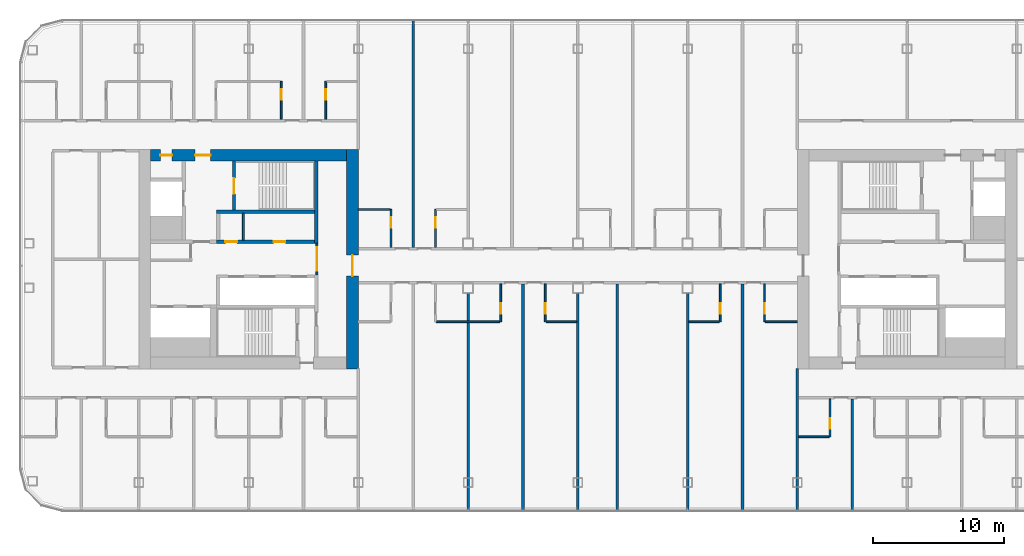
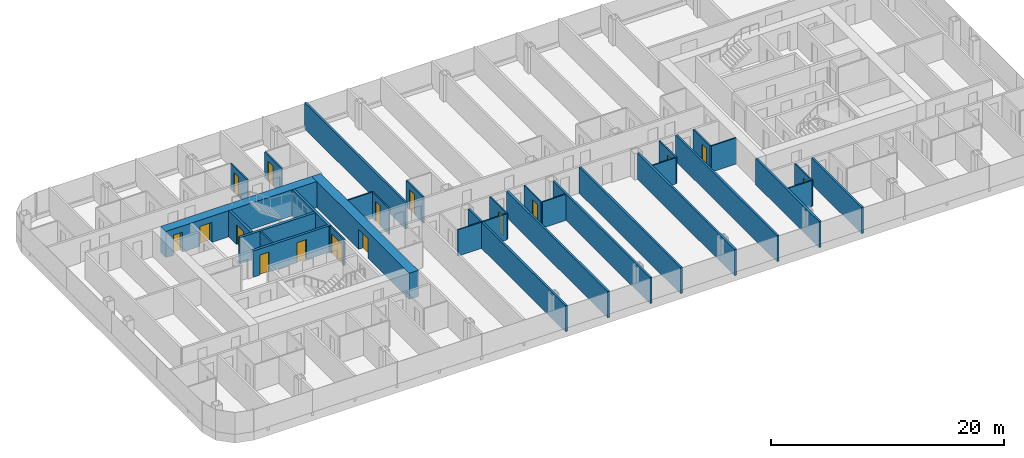
# One storey, part 14 of 27: 32 walls, 16 doors, 16 openings.
"""IFC4 building model written with IfcOpenShell, lengths in metres."""

from ifc_helpers import new_model, si_unit, direction, frame, frame_2d, origin, place, context, subcontext, project, spatial, rectangle, extrude, material, layer, layer_set, type_object, element, fill, save


model = new_model("IFC4")

# Units and contexts
model_context = context("Model", 3, precision=1e-05, world=origin(), true_north=direction((0.0, 1.0)))
body_context = subcontext(model_context, "Body", "Model", "MODEL_VIEW")
ifc_project = project(units=[si_unit("LENGTHUNIT", "METRE"), si_unit("AREAUNIT", "SQUARE_METRE"), si_unit("VOLUMEUNIT", "CUBIC_METRE"), si_unit("PLANEANGLEUNIT", "RADIAN"), si_unit("MASSUNIT", "GRAM", prefix="KILO")], contexts=[model_context])

# Site, building, storey
site_placement = place(None, origin())
site = spatial("IfcSite", under=ifc_project, at=site_placement, CompositionType="ELEMENT")
building_placement = place(site_placement, origin())
building = spatial("IfcBuilding", under=site, at=building_placement, Name="Hakoniwa Tower and Hamabe Station Hall", CompositionType="ELEMENT")
storey_placement = place(building_placement, frame((0.0, 0.0, 166.199951171875)))
storey = spatial("IfcBuildingStorey", under=building, at=storey_placement, Name="L47", CompositionType="ELEMENT", Elevation=166.199951171875)

# Walls
ifc_material_1 = material(Name="Gypsum board partition", Category="gypsum")
ifc_layer_1 = layer(ifc_material_1, 0.125)
ifc_layer_set_1 = layer_set([ifc_layer_1], Name="Bathroom Partition 125")
wall_type_1 = type_object("IfcWallType", Name="Bathroom Partition 125", PredefinedType="PARTITIONING", material=ifc_layer_set_1)
wall_1_placement = place(storey_placement, frame((16.89990234375, -13.60009765625, 0.0), z_axis=(0.0, 0.0, 1.0), x_axis=(1.0, 0.0, 0.0)))
element("IfcWall", 1, at=wall_1_placement, inside=storey, type_object=wall_type_1, Name="GW-L47-005", PredefinedType="PARTITIONING", context=body_context, shape_type="SweptSolid", body=[
    extrude(rectangle(XDim=2.337646484375, YDim=0.125, at=frame_2d((1.1689453125, 0.0))), origin(), (0.0, 0.0, 1.0), 2.75),
])
wall_2_placement = place(storey_placement, frame((-10.83740234375, -4.800048828125, 0.0), z_axis=(0.0, 0.0, 1.0), x_axis=(1.0, 0.0, 0.0)))
element("IfcWall", 2, at=wall_2_placement, inside=storey, type_object=wall_type_1, Name="GW-L47-014", PredefinedType="PARTITIONING", context=body_context, shape_type="SweptSolid", body=[
    extrude(rectangle(XDim=4.875, YDim=0.125, at=frame_2d((2.4375, 0.0))), origin(), (0.0, 0.0, 1.0), 2.75),
])
for number, where, z_axis, x_axis, name in (
    (3, (-2.4375, -4.800048828125, 0.0), (0.0, 0.0, 1.0), (1.0, 0.0, 0.0), "GW-L47-015"),
    (4, (8.5, -4.800048828125, 0.0), (0.0, 0.0, 1.0), (1.0, 0.0, 0.0), "GW-L47-016"),
):
    element("IfcWall", number, at=place(storey_placement, frame(where, z_axis=z_axis, x_axis=x_axis)), inside=storey, type_object=wall_type_1, Name=name, PredefinedType="PARTITIONING", context=body_context, shape_type="SweptSolid", body=[
        extrude(rectangle(XDim=2.33740234375, YDim=0.125, at=frame_2d((1.168701171875, 0.0))), origin(), (0.0, 0.0, 1.0), 2.75),
    ])
for number, where, z_axis, x_axis, name in (
    (5, (14.362548828125, -4.800048828125, 0.0), (0.0, 0.0, 1.0), (1.0, 0.0, 0.0), "GW-L47-017"),
    (6, (-16.81005859375, 3.800048828125, 0.0), (0.0, 0.0, 1.0), (1.0, 0.0, 0.0), "GW-L47-022"),
):
    element("IfcWall", number, at=place(storey_placement, frame(where, z_axis=z_axis, x_axis=x_axis)), inside=storey, type_object=wall_type_1, Name=name, PredefinedType="PARTITIONING", context=body_context, shape_type="SweptSolid", body=[
        extrude(rectangle(XDim=2.447509765625, YDim=0.125, at=frame_2d((1.2236328125, 0.0))), origin(), (0.0, 0.0, 1.0), 2.75),
    ])

# Wall, opening, door
wall_3_placement = place(storey_placement, frame((-22.699951171875, 10.699951171875, 0.0), z_axis=(0.0, 0.0, 1.0), x_axis=(0.0, 1.0, 0.0)))
wall_3 = element("IfcWall", 7, at=wall_3_placement, inside=storey, type_object=wall_type_1, Name="GW-L47-055", PredefinedType="PARTITIONING", context=body_context, shape_type="SweptSolid", body=[
    extrude(rectangle(XDim=2.900146484375, YDim=0.125, at=frame_2d((1.4501953125, 0.0))), origin(), (0.0, 0.0, 1.0), 2.75),
])
opening_1_placement = place(wall_3_placement, frame((1.5, 0.0, 0.0)))
opening_1 = element("IfcOpeningElement", 8, at=opening_1_placement, cuts=wall_3, Name="Opening GD-G3B2-55", PredefinedType="OPENING", context=body_context, shape_type="SweptSolid", body=[
    extrude(rectangle(XDim=0.800048828125, YDim=2.10009765625, at=frame_2d((0.39990234375, 1.050048828125))), frame((0.0, 0.072509765625, 0.0), z_axis=(0.0, -1.0, 0.0), x_axis=(1.0, 0.0, 0.0)), (0.0, 0.0, 1.0), 0.14501953125),
])
ifc_material_2 = material(Name="Timber door leaf", Category="wood")
door_type_1 = type_object("IfcDoorType", Name="Bathroom Door 800", OperationType="SINGLE_SWING_LEFT", PredefinedType="DOOR", material=ifc_material_2)
door_1_placement = place(opening_1_placement, origin())
door_1 = element("IfcDoor", 9, at=door_1_placement, inside=storey, type_object=door_type_1, Name="Door GD-G3B2-55", OperationType="SINGLE_SWING_LEFT", OverallHeight=2.10009765625, OverallWidth=0.800048828125, PredefinedType="DOOR", context=body_context, shape_type="SweptSolid", body=[
    extrude(rectangle(XDim=0.800048828125, YDim=2.10009765625, at=frame_2d((0.39990234375, 1.050048828125))), frame((0.0, 0.02490234375, 0.0), z_axis=(0.0, -1.0, 0.0), x_axis=(1.0, 0.0, 0.0)), (0.0, 0.0, 1.0), 0.050048828125),
])
fill(opening_1, door_1)

wall_4_placement = place(storey_placement, frame((-19.300048828125, 10.699951171875, 0.0), z_axis=(0.0, 0.0, 1.0), x_axis=(0.0, 1.0, 0.0)))
wall_4 = element("IfcWall", 10, at=wall_4_placement, inside=storey, type_object=wall_type_1, Name="GW-L47-059", PredefinedType="PARTITIONING", context=body_context, shape_type="SweptSolid", body=[
    extrude(rectangle(XDim=2.900146484375, YDim=0.125, at=frame_2d((1.4501953125, 0.0))), origin(), (0.0, 0.0, 1.0), 2.75),
])
opening_2_placement = place(wall_4_placement, frame((1.5, 0.0, 0.0)))
opening_2 = element("IfcOpeningElement", 11, at=opening_2_placement, cuts=wall_4, Name="Opening GD-G3B2-57", PredefinedType="OPENING", context=body_context, shape_type="SweptSolid", body=[
    extrude(rectangle(XDim=0.800048828125, YDim=2.10009765625, at=frame_2d((0.39990234375, 1.050048828125))), frame((0.0, 0.072509765625, 0.0), z_axis=(0.0, -1.0, 0.0), x_axis=(1.0, 0.0, 0.0)), (0.0, 0.0, 1.0), 0.14501953125),
])
door_2_placement = place(opening_2_placement, origin())
door_2 = element("IfcDoor", 12, at=door_2_placement, inside=storey, type_object=door_type_1, Name="Door GD-G3B2-57", OperationType="SINGLE_SWING_RIGHT", OverallHeight=2.10009765625, OverallWidth=0.800048828125, PredefinedType="DOOR", context=body_context, shape_type="SweptSolid", body=[
    extrude(rectangle(XDim=0.800048828125, YDim=2.10009765625, at=frame_2d((0.39990234375, 1.050048828125))), frame((0.0, 0.02490234375, 0.0), z_axis=(0.0, -1.0, 0.0), x_axis=(1.0, 0.0, 0.0)), (0.0, 0.0, 1.0), 0.050048828125),
])
fill(opening_2, door_2)

wall_5_placement = place(storey_placement, frame((-14.300048828125, 0.89990234375, 0.0), z_axis=(0.0, 0.0, 1.0), x_axis=(0.0, 1.0, 0.0)))
wall_5 = element("IfcWall", 13, at=wall_5_placement, inside=storey, type_object=wall_type_1, Name="GW-L47-063", PredefinedType="PARTITIONING", context=body_context, shape_type="SweptSolid", body=[
    extrude(rectangle(XDim=2.900146484375, YDim=0.125, at=frame_2d((1.4501953125, 0.0))), origin(), (0.0, 0.0, 1.0), 2.75),
])
opening_3_placement = place(wall_5_placement, frame((1.5, 0.0, 0.0)))
opening_3 = element("IfcOpeningElement", 14, at=opening_3_placement, cuts=wall_5, Name="Opening GD-G3B2-59", PredefinedType="OPENING", context=body_context, shape_type="SweptSolid", body=[
    extrude(rectangle(XDim=0.800048828125, YDim=2.10009765625, at=frame_2d((0.39990234375, 1.050048828125))), frame((0.0, 0.072509765625, 0.0), z_axis=(0.0, -1.0, 0.0), x_axis=(1.0, 0.0, 0.0)), (0.0, 0.0, 1.0), 0.14501953125),
])
door_3_placement = place(opening_3_placement, origin())
door_3 = element("IfcDoor", 15, at=door_3_placement, inside=storey, type_object=door_type_1, Name="Door GD-G3B2-59", OperationType="SINGLE_SWING_LEFT", OverallHeight=2.10009765625, OverallWidth=0.800048828125, PredefinedType="DOOR", context=body_context, shape_type="SweptSolid", body=[
    extrude(rectangle(XDim=0.800048828125, YDim=2.10009765625, at=frame_2d((0.39990234375, 1.050048828125))), frame((0.0, 0.02490234375, 0.0), z_axis=(0.0, -1.0, 0.0), x_axis=(1.0, 0.0, 0.0)), (0.0, 0.0, 1.0), 0.050048828125),
])
fill(opening_3, door_3)

wall_6_placement = place(storey_placement, frame((-10.89990234375, 0.89990234375, 0.0), z_axis=(0.0, 0.0, 1.0), x_axis=(0.0, 1.0, 0.0)))
wall_6 = element("IfcWall", 16, at=wall_6_placement, inside=storey, type_object=wall_type_1, Name="GW-L47-067", PredefinedType="PARTITIONING", context=body_context, shape_type="SweptSolid", body=[
    extrude(rectangle(XDim=2.900146484375, YDim=0.125, at=frame_2d((1.4501953125, 0.0))), origin(), (0.0, 0.0, 1.0), 2.75),
])
opening_4_placement = place(wall_6_placement, frame((1.5, 0.0, 0.0)))
opening_4 = element("IfcOpeningElement", 17, at=opening_4_placement, cuts=wall_6, Name="Opening GD-G3B2-61", PredefinedType="OPENING", context=body_context, shape_type="SweptSolid", body=[
    extrude(rectangle(XDim=0.800048828125, YDim=2.10009765625, at=frame_2d((0.39990234375, 1.050048828125))), frame((0.0, 0.072509765625, 0.0), z_axis=(0.0, -1.0, 0.0), x_axis=(1.0, 0.0, 0.0)), (0.0, 0.0, 1.0), 0.14501953125),
])
door_4_placement = place(opening_4_placement, origin())
door_4 = element("IfcDoor", 18, at=door_4_placement, inside=storey, type_object=door_type_1, Name="Door GD-G3B2-61", OperationType="SINGLE_SWING_RIGHT", OverallHeight=2.10009765625, OverallWidth=0.800048828125, PredefinedType="DOOR", context=body_context, shape_type="SweptSolid", body=[
    extrude(rectangle(XDim=0.800048828125, YDim=2.10009765625, at=frame_2d((0.39990234375, 1.050048828125))), frame((0.0, 0.02490234375, 0.0), z_axis=(0.0, -1.0, 0.0), x_axis=(1.0, 0.0, 0.0)), (0.0, 0.0, 1.0), 0.050048828125),
])
fill(opening_4, door_4)

wall_7_placement = place(storey_placement, frame((-5.89990234375, -4.800048828125, 0.0), z_axis=(0.0, 0.0, 1.0), x_axis=(0.0, 1.0, 0.0)))
wall_7 = element("IfcWall", 19, at=wall_7_placement, inside=storey, type_object=wall_type_1, Name="GW-L47-070", PredefinedType="PARTITIONING", context=body_context, shape_type="SweptSolid", body=[
    extrude(rectangle(XDim=2.900146484375, YDim=0.125, at=frame_2d((1.4501953125, 0.0))), origin(), (0.0, 0.0, 1.0), 2.75),
])
opening_5_placement = place(wall_7_placement, frame((0.60009765625, 0.0, 0.0)))
opening_5 = element("IfcOpeningElement", 20, at=opening_5_placement, cuts=wall_7, Name="Opening GD-G3B2-62", PredefinedType="OPENING", context=body_context, shape_type="SweptSolid", body=[
    extrude(rectangle(XDim=0.800048828125, YDim=2.10009765625, at=frame_2d((0.39990234375, 1.050048828125))), frame((0.0, 0.072509765625, 0.0), z_axis=(0.0, -1.0, 0.0), x_axis=(1.0, 0.0, 0.0)), (0.0, 0.0, 1.0), 0.14501953125),
])
door_5_placement = place(opening_5_placement, origin())
door_5 = element("IfcDoor", 21, at=door_5_placement, inside=storey, type_object=door_type_1, Name="Door GD-G3B2-62", OperationType="SINGLE_SWING_RIGHT", OverallHeight=2.10009765625, OverallWidth=0.800048828125, PredefinedType="DOOR", context=body_context, shape_type="SweptSolid", body=[
    extrude(rectangle(XDim=0.800048828125, YDim=2.10009765625, at=frame_2d((0.39990234375, 1.050048828125))), frame((0.0, 0.02490234375, 0.0), z_axis=(0.0, -1.0, 0.0), x_axis=(1.0, 0.0, 0.0)), (0.0, 0.0, 1.0), 0.050048828125),
])
fill(opening_5, door_5)

wall_8_placement = place(storey_placement, frame((-2.5, -4.800048828125, 0.0), z_axis=(0.0, 0.0, 1.0), x_axis=(0.0, 1.0, 0.0)))
wall_8 = element("IfcWall", 22, at=wall_8_placement, inside=storey, type_object=wall_type_1, Name="GW-L47-073", PredefinedType="PARTITIONING", context=body_context, shape_type="SweptSolid", body=[
    extrude(rectangle(XDim=2.900146484375, YDim=0.125, at=frame_2d((1.4501953125, 0.0))), origin(), (0.0, 0.0, 1.0), 2.75),
])
opening_6_placement = place(wall_8_placement, frame((0.60009765625, 0.0, 0.0)))
opening_6 = element("IfcOpeningElement", 23, at=opening_6_placement, cuts=wall_8, Name="Opening GD-G3B2-63", PredefinedType="OPENING", context=body_context, shape_type="SweptSolid", body=[
    extrude(rectangle(XDim=0.800048828125, YDim=2.10009765625, at=frame_2d((0.39990234375, 1.050048828125))), frame((0.0, 0.072509765625, 0.0), z_axis=(0.0, -1.0, 0.0), x_axis=(1.0, 0.0, 0.0)), (0.0, 0.0, 1.0), 0.14501953125),
])
door_6_placement = place(opening_6_placement, origin())
door_6 = element("IfcDoor", 24, at=door_6_placement, inside=storey, type_object=door_type_1, Name="Door GD-G3B2-63", OperationType="SINGLE_SWING_LEFT", OverallHeight=2.10009765625, OverallWidth=0.800048828125, PredefinedType="DOOR", context=body_context, shape_type="SweptSolid", body=[
    extrude(rectangle(XDim=0.800048828125, YDim=2.10009765625, at=frame_2d((0.39990234375, 1.050048828125))), frame((0.0, 0.02490234375, 0.0), z_axis=(0.0, -1.0, 0.0), x_axis=(1.0, 0.0, 0.0)), (0.0, 0.0, 1.0), 0.050048828125),
])
fill(opening_6, door_6)

wall_9_placement = place(storey_placement, frame((10.89990234375, -4.800048828125, 0.0), z_axis=(0.0, 0.0, 1.0), x_axis=(0.0, 1.0, 0.0)))
wall_9 = element("IfcWall", 25, at=wall_9_placement, inside=storey, type_object=wall_type_1, Name="GW-L47-082", PredefinedType="PARTITIONING", context=body_context, shape_type="SweptSolid", body=[
    extrude(rectangle(XDim=2.900146484375, YDim=0.125, at=frame_2d((1.4501953125, 0.0))), origin(), (0.0, 0.0, 1.0), 2.75),
])
opening_7_placement = place(wall_9_placement, frame((0.60009765625, 0.0, 0.0)))
opening_7 = element("IfcOpeningElement", 26, at=opening_7_placement, cuts=wall_9, Name="Opening GD-G3B2-66", PredefinedType="OPENING", context=body_context, shape_type="SweptSolid", body=[
    extrude(rectangle(XDim=0.800048828125, YDim=2.10009765625, at=frame_2d((0.39990234375, 1.050048828125))), frame((0.0, 0.072509765625, 0.0), z_axis=(0.0, -1.0, 0.0), x_axis=(1.0, 0.0, 0.0)), (0.0, 0.0, 1.0), 0.14501953125),
])
door_7_placement = place(opening_7_placement, origin())
door_7 = element("IfcDoor", 27, at=door_7_placement, inside=storey, type_object=door_type_1, Name="Door GD-G3B2-66", OperationType="SINGLE_SWING_RIGHT", OverallHeight=2.10009765625, OverallWidth=0.800048828125, PredefinedType="DOOR", context=body_context, shape_type="SweptSolid", body=[
    extrude(rectangle(XDim=0.800048828125, YDim=2.10009765625, at=frame_2d((0.39990234375, 1.050048828125))), frame((0.0, 0.02490234375, 0.0), z_axis=(0.0, -1.0, 0.0), x_axis=(1.0, 0.0, 0.0)), (0.0, 0.0, 1.0), 0.050048828125),
])
fill(opening_7, door_7)

wall_10_placement = place(storey_placement, frame((14.300048828125, -4.800048828125, 0.0), z_axis=(0.0, 0.0, 1.0), x_axis=(0.0, 1.0, 0.0)))
wall_10 = element("IfcWall", 28, at=wall_10_placement, inside=storey, type_object=wall_type_1, Name="GW-L47-086", PredefinedType="PARTITIONING", context=body_context, shape_type="SweptSolid", body=[
    extrude(rectangle(XDim=2.900146484375, YDim=0.125, at=frame_2d((1.4501953125, 0.0))), origin(), (0.0, 0.0, 1.0), 2.75),
])
opening_8_placement = place(wall_10_placement, frame((0.60009765625, 0.0, 0.0)))
opening_8 = element("IfcOpeningElement", 29, at=opening_8_placement, cuts=wall_10, Name="Opening GD-G3B2-68", PredefinedType="OPENING", context=body_context, shape_type="SweptSolid", body=[
    extrude(rectangle(XDim=0.800048828125, YDim=2.10009765625, at=frame_2d((0.39990234375, 1.050048828125))), frame((0.0, 0.072509765625, 0.0), z_axis=(0.0, -1.0, 0.0), x_axis=(1.0, 0.0, 0.0)), (0.0, 0.0, 1.0), 0.14501953125),
])
door_8_placement = place(opening_8_placement, origin())
door_8 = element("IfcDoor", 30, at=door_8_placement, inside=storey, type_object=door_type_1, Name="Door GD-G3B2-68", OperationType="SINGLE_SWING_LEFT", OverallHeight=2.10009765625, OverallWidth=0.800048828125, PredefinedType="DOOR", context=body_context, shape_type="SweptSolid", body=[
    extrude(rectangle(XDim=0.800048828125, YDim=2.10009765625, at=frame_2d((0.39990234375, 1.050048828125))), frame((0.0, 0.02490234375, 0.0), z_axis=(0.0, -1.0, 0.0), x_axis=(1.0, 0.0, 0.0)), (0.0, 0.0, 1.0), 0.050048828125),
])
fill(opening_8, door_8)

wall_11_placement = place(storey_placement, frame((19.300048828125, -13.60009765625, 0.0), z_axis=(0.0, 0.0, 1.0), x_axis=(0.0, 1.0, 0.0)))
wall_11 = element("IfcWall", 31, at=wall_11_placement, inside=storey, type_object=wall_type_1, Name="GW-L47-090", PredefinedType="PARTITIONING", context=body_context, shape_type="SweptSolid", body=[
    extrude(rectangle(XDim=2.900146484375, YDim=0.125, at=frame_2d((1.4501953125, 0.0))), origin(), (0.0, 0.0, 1.0), 2.75),
])
opening_9_placement = place(wall_11_placement, frame((0.60009765625, 0.0, 0.0)))
opening_9 = element("IfcOpeningElement", 32, at=opening_9_placement, cuts=wall_11, Name="Opening GD-G3B2-70", PredefinedType="OPENING", context=body_context, shape_type="SweptSolid", body=[
    extrude(rectangle(XDim=0.800048828125, YDim=2.10009765625, at=frame_2d((0.39990234375, 1.050048828125))), frame((0.0, 0.072509765625, 0.0), z_axis=(0.0, -1.0, 0.0), x_axis=(1.0, 0.0, 0.0)), (0.0, 0.0, 1.0), 0.14501953125),
])
door_9_placement = place(opening_9_placement, origin())
door_9 = element("IfcDoor", 33, at=door_9_placement, inside=storey, type_object=door_type_1, Name="Door GD-G3B2-70", OperationType="SINGLE_SWING_RIGHT", OverallHeight=2.10009765625, OverallWidth=0.800048828125, PredefinedType="DOOR", context=body_context, shape_type="SweptSolid", body=[
    extrude(rectangle(XDim=0.800048828125, YDim=2.10009765625, at=frame_2d((0.39990234375, 1.050048828125))), frame((0.0, 0.02490234375, 0.0), z_axis=(0.0, -1.0, 0.0), x_axis=(1.0, 0.0, 0.0)), (0.0, 0.0, 1.0), 0.050048828125),
])
fill(opening_9, door_9)

ifc_material_3 = material(Name="Gypsum board partition")
ifc_layer_2 = layer(ifc_material_3, 0.14990234375)
ifc_layer_set_2 = layer_set([ifc_layer_2], Name="CORE PARTITION 150 EI 60")
wall_type_2 = type_object("IfcWallType", Name="CORE PARTITION 150 EI 60", PredefinedType="PARTITIONING", material=ifc_layer_set_2)
wall_12_placement = place(storey_placement, frame((-19.97509765625, -1.199951171875, 0.0), z_axis=(0.0, 0.0, 1.0), x_axis=(0.0, 1.0, 0.0)))
wall_12 = element("IfcWall", 34, at=wall_12_placement, inside=storey, type_object=wall_type_2, Name="Core partition PL0 west", PredefinedType="PARTITIONING", context=body_context, shape_type="SweptSolid", body=[
    extrude(rectangle(XDim=2.39990234375, YDim=0.14990234375, at=frame_2d((1.199951171875, 0.0))), origin(), (0.0, 0.0, 1.0), 2.75),
])
opening_10_placement = place(wall_12_placement, frame((0.300048828125, 0.0, 0.0)))
opening_10 = element("IfcOpeningElement", 35, at=opening_10_placement, cuts=wall_12, Name="Opening CD-W-LP0-18", PredefinedType="OPENING", context=body_context, shape_type="SweptSolid", body=[
    extrude(rectangle(XDim=1.800048828125, YDim=2.10009765625, at=frame_2d((0.89990234375, 1.050048828125))), frame((0.0, 0.0849609375, 0.0), z_axis=(0.0, -1.0, 0.0), x_axis=(1.0, 0.0, 0.0)), (0.0, 0.0, 1.0), 0.169921875),
])
ifc_material_4 = material(Name="Steel fire door", Category="steel")
door_type_2 = type_object("IfcDoorType", Name="CORE DOOR 1800 FD60", OperationType="DOUBLE_DOOR_SINGLE_SWING", PredefinedType="DOOR", material=ifc_material_4)
door_10_placement = place(opening_10_placement, origin())
door_10 = element("IfcDoor", 36, at=door_10_placement, inside=storey, type_object=door_type_2, Name="Lift lobby partition door", OperationType="DOUBLE_DOOR_SINGLE_SWING", OverallHeight=2.10009765625, OverallWidth=1.800048828125, PredefinedType="DOOR", context=body_context, shape_type="SweptSolid", body=[
    extrude(rectangle(XDim=1.800048828125, YDim=2.10009765625, at=frame_2d((0.89990234375, 1.050048828125))), frame((0.0, 0.02490234375, 0.0), z_axis=(0.0, -1.0, 0.0), x_axis=(1.0, 0.0, 0.0)), (0.0, 0.0, 1.0), 0.050048828125),
])
fill(opening_10, door_10)

# Wall
wall_13_placement = place(storey_placement, frame((-25.60009765625, 1.449951171875, 0.0), z_axis=(0.0, 0.0, 1.0), x_axis=(0.0, 1.0, 0.0)))
element("IfcWall", 37, at=wall_13_placement, inside=storey, type_object=wall_type_2, Name="Core partition PFLR0 west", PredefinedType="PARTITIONING", context=body_context, shape_type="SweptSolid", body=[
    extrude(rectangle(XDim=2.050048828125, YDim=0.14990234375, at=frame_2d((1.02490234375, 0.0))), origin(), (0.0, 0.0, 1.0), 2.75),
])

# Wall, opening, door
ifc_material_5 = material(Name="Concrete C66", Category="concrete")
ifc_layer_3 = layer(ifc_material_5, 0.89990234375)
ifc_layer_set_3 = layer_set([ifc_layer_3], Name="CORE WALL 900 C66")
wall_type_3 = type_object("IfcWallType", Name="CORE WALL 900 C66", PredefinedType="SHEAR", material=ifc_layer_set_3)
wall_14_placement = place(storey_placement, frame((-17.25, -8.39990234375, 0.0), z_axis=(0.0, 0.0, 1.0), x_axis=(0.0, 1.0, 0.0)))
wall_14 = element("IfcWall", 38, at=wall_14_placement, inside=storey, type_object=wall_type_3, Name="Core wall INNER west", PredefinedType="SHEAR", context=body_context, shape_type="SweptSolid", body=[
    extrude(rectangle(XDim=16.7998046875, YDim=0.89990234375, at=frame_2d((8.39990234375, 0.0))), origin(), (0.0, 0.0, 1.0), 2.75),
])
opening_11_placement = place(wall_14_placement, frame((7.10009765625, 0.0, 0.0)))
opening_11 = element("IfcOpeningElement", 39, at=opening_11_placement, cuts=wall_14, Name="Opening CD-W-IN1-16", PredefinedType="OPENING", context=body_context, shape_type="SweptSolid", body=[
    extrude(rectangle(XDim=1.60009765625, YDim=2.10009765625, at=frame_2d((0.800048828125, 1.050048828125))), frame((0.0, 0.4599609375, 0.0), z_axis=(0.0, -1.0, 0.0), x_axis=(1.0, 0.0, 0.0)), (0.0, 0.0, 1.0), 0.919921875),
])
ifc_material_6 = material(Name="Steel fire door", Category="steel")
door_type_3 = type_object("IfcDoorType", Name="CORE DOOR 1600 FD60", OperationType="DOUBLE_DOOR_SINGLE_SWING", PredefinedType="DOOR", material=ifc_material_6)
door_11_placement = place(opening_11_placement, origin())
door_11 = element("IfcDoor", 40, at=door_11_placement, inside=storey, type_object=door_type_3, Name="Lift lobby door", OperationType="DOUBLE_DOOR_SINGLE_SWING", OverallHeight=2.10009765625, OverallWidth=1.60009765625, PredefinedType="DOOR", context=body_context, shape_type="SweptSolid", body=[
    extrude(rectangle(XDim=1.60009765625, YDim=2.10009765625, at=frame_2d((0.800048828125, 1.050048828125))), frame((0.0, 0.02490234375, 0.0), z_axis=(0.0, -1.0, 0.0), x_axis=(1.0, 0.0, 0.0)), (0.0, 0.0, 1.0), 0.050048828125),
])
fill(opening_11, door_11)

# Wall, openings, doors
wall_15_placement = place(storey_placement, frame((-32.699951171875, 7.949951171875, 0.0), z_axis=(0.0, 0.0, 1.0), x_axis=(1.0, 0.0, 0.0)))
wall_15 = element("IfcWall", 41, at=wall_15_placement, inside=storey, type_object=wall_type_3, Name="Core wall NORTH west", PredefinedType="SHEAR", context=body_context, shape_type="SweptSolid", body=[
    extrude(rectangle(XDim=15.0, YDim=0.89990234375, at=frame_2d((7.5, 0.0))), origin(), (0.0, 0.0, 1.0), 2.75),
])
opening_12_placement = place(wall_15_placement, frame((3.39990234375, 0.0, 0.0)))
opening_12 = element("IfcOpeningElement", 42, at=opening_12_placement, cuts=wall_15, Name="Opening CD-W-FN1-12", PredefinedType="OPENING", context=body_context, shape_type="SweptSolid", body=[
    extrude(rectangle(XDim=1.199951171875, YDim=2.10009765625, at=frame_2d((0.60009765625, 1.050048828125))), frame((0.0, 0.4599609375, 0.0), z_axis=(0.0, -1.0, 0.0), x_axis=(1.0, 0.0, 0.0)), (0.0, 0.0, 1.0), 0.919921875),
])
opening_13_placement = place(wall_15_placement, frame((0.75, 0.0, 0.0)))
opening_13 = element("IfcOpeningElement", 43, at=opening_13_placement, cuts=wall_15, Name="Opening CD-W-FN2-9", PredefinedType="OPENING", context=body_context, shape_type="SweptSolid", body=[
    extrude(rectangle(XDim=0.89990234375, YDim=2.10009765625, at=frame_2d((0.449951171875, 1.050048828125))), frame((0.0, 0.4599609375, 0.0), z_axis=(0.0, -1.0, 0.0), x_axis=(1.0, 0.0, 0.0)), (0.0, 0.0, 1.0), 0.919921875),
])
ifc_material_7 = material(Name="Steel fire door", Category="steel")
door_type_4 = type_object("IfcDoorType", Name="CORE DOOR 1200 FD60", OperationType="DOUBLE_DOOR_SINGLE_SWING", PredefinedType="DOOR", material=ifc_material_7)
door_12_placement = place(opening_12_placement, origin())
door_12 = element("IfcDoor", 44, at=door_12_placement, inside=storey, type_object=door_type_4, Name="Stair vestibule door to the fire-fighting lobby", OperationType="DOUBLE_DOOR_SINGLE_SWING", OverallHeight=2.10009765625, OverallWidth=1.199951171875, PredefinedType="DOOR", context=body_context, shape_type="SweptSolid", body=[
    extrude(rectangle(XDim=1.199951171875, YDim=2.10009765625, at=frame_2d((0.60009765625, 1.050048828125))), frame((0.0, 0.02490234375, 0.0), z_axis=(0.0, -1.0, 0.0), x_axis=(1.0, 0.0, 0.0)), (0.0, 0.0, 1.0), 0.050048828125),
])
fill(opening_12, door_12)
ifc_material_8 = material(Name="Steel fire door", Category="steel")
door_type_5 = type_object("IfcDoorType", Name="CORE DOOR 900 FD30", OperationType="NOTDEFINED", PredefinedType="DOOR", material=ifc_material_8)
door_13_placement = place(opening_13_placement, origin())
door_13 = element("IfcDoor", 45, at=door_13_placement, inside=storey, type_object=door_type_5, Name="Riser access door", OperationType="SINGLE_SWING_RIGHT", OverallHeight=2.10009765625, OverallWidth=0.89990234375, PredefinedType="DOOR", context=body_context, shape_type="SweptSolid", body=[
    extrude(rectangle(XDim=0.89990234375, YDim=2.10009765625, at=frame_2d((0.449951171875, 1.050048828125))), frame((0.0, 0.02490234375, 0.0), z_axis=(0.0, -1.0, 0.0), x_axis=(1.0, 0.0, 0.0)), (0.0, 0.0, 1.0), 0.050048828125),
])
fill(opening_13, door_13)

# Wall
ifc_material_9 = material(Name="Concrete C66", Category="concrete")
ifc_layer_4 = layer(ifc_material_9, 0.25)
ifc_layer_set_4 = layer_set([ifc_layer_4], Name="CORE WEB WALL 250 C66")
wall_type_4 = type_object("IfcWallType", Name="CORE WEB WALL 250 C66", PredefinedType="SHEAR", material=ifc_layer_set_4)
wall_16_placement = place(storey_placement, frame((-20.02490234375, 1.199951171875, 0.0), z_axis=(0.0, 0.0, 1.0), x_axis=(0.0, 1.0, 0.0)))
element("IfcWall", 46, at=wall_16_placement, inside=storey, type_object=wall_type_4, Name="Core wall W1N west", PredefinedType="SHEAR", context=body_context, shape_type="SweptSolid", body=[
    extrude(rectangle(XDim=6.300048828125, YDim=0.25, at=frame_2d((3.14990234375, 0.0))), origin(), (0.0, 0.0, 1.0), 2.75),
])

# Wall, openings, doors
wall_17_placement = place(storey_placement, frame((-27.64990234375, 1.324951171875, 0.0), z_axis=(0.0, 0.0, 1.0), x_axis=(1.0, 0.0, 0.0)))
wall_17 = element("IfcWall", 47, at=wall_17_placement, inside=storey, type_object=wall_type_4, Name="Core wall NF west", PredefinedType="SHEAR", context=body_context, shape_type="SweptSolid", body=[
    extrude(rectangle(XDim=7.5, YDim=0.25, at=frame_2d((3.75, 0.0))), origin(), (0.0, 0.0, 1.0), 2.75),
])
opening_14_placement = place(wall_17_placement, frame((4.362548828125, 0.0, 0.0)))
opening_14 = element("IfcOpeningElement", 48, at=opening_14_placement, cuts=wall_17, Name="Opening CD-W-FRLR0-9", PredefinedType="OPENING", context=body_context, shape_type="SweptSolid", body=[
    extrude(rectangle(XDim=0.89990234375, YDim=2.10009765625, at=frame_2d((0.449951171875, 1.050048828125))), frame((0.0, 0.135009765625, 0.0), z_axis=(0.0, -1.0, 0.0), x_axis=(1.0, 0.0, 0.0)), (0.0, 0.0, 1.0), 0.27001953125),
])
opening_15_placement = place(wall_17_placement, frame((0.66259765625, 0.0, 0.0)))
opening_15 = element("IfcOpeningElement", 49, at=opening_15_placement, cuts=wall_17, Name="Opening CD-W-FRLR1-9", PredefinedType="OPENING", context=body_context, shape_type="SweptSolid", body=[
    extrude(rectangle(XDim=0.89990234375, YDim=2.10009765625, at=frame_2d((0.449951171875, 1.050048828125))), frame((0.0, 0.135009765625, 0.0), z_axis=(0.0, -1.0, 0.0), x_axis=(1.0, 0.0, 0.0)), (0.0, 0.0, 1.0), 0.27001953125),
])
door_14_placement = place(opening_14_placement, origin())
door_14 = element("IfcDoor", 50, at=door_14_placement, inside=storey, type_object=door_type_5, Name="Store room door", OperationType="SINGLE_SWING_RIGHT", OverallHeight=2.10009765625, OverallWidth=0.89990234375, PredefinedType="DOOR", context=body_context, shape_type="SweptSolid", body=[
    extrude(rectangle(XDim=0.89990234375, YDim=2.10009765625, at=frame_2d((0.449951171875, 1.050048828125))), frame((0.0, 0.02490234375, 0.0), z_axis=(0.0, -1.0, 0.0), x_axis=(1.0, 0.0, 0.0)), (0.0, 0.0, 1.0), 0.050048828125),
])
fill(opening_14, door_14)
door_15_placement = place(opening_15_placement, origin())
door_15 = element("IfcDoor", 51, at=door_15_placement, inside=storey, type_object=door_type_5, Name="Store room door", OperationType="SINGLE_SWING_LEFT", OverallHeight=2.10009765625, OverallWidth=0.89990234375, PredefinedType="DOOR", context=body_context, shape_type="SweptSolid", body=[
    extrude(rectangle(XDim=0.89990234375, YDim=2.10009765625, at=frame_2d((0.449951171875, 1.050048828125))), frame((0.0, 0.02490234375, 0.0), z_axis=(0.0, -1.0, 0.0), x_axis=(1.0, 0.0, 0.0)), (0.0, 0.0, 1.0), 0.050048828125),
])
fill(opening_15, door_15)

# Wall
wall_18_placement = place(storey_placement, frame((-27.64990234375, 3.625, 0.0), z_axis=(0.0, 0.0, 1.0), x_axis=(1.0, 0.0, 0.0)))
element("IfcWall", 52, at=wall_18_placement, inside=storey, type_object=wall_type_4, Name="Core wall NR west", PredefinedType="SHEAR", context=body_context, shape_type="SweptSolid", body=[
    extrude(rectangle(XDim=7.5, YDim=0.25, at=frame_2d((3.75, 0.0))), origin(), (0.0, 0.0, 1.0), 2.75),
])

# Wall, opening, door
wall_19_placement = place(storey_placement, frame((-26.324951171875, 3.75, 0.0), z_axis=(0.0, 0.0, 1.0), x_axis=(0.0, 1.0, 0.0)))
wall_19 = element("IfcWall", 53, at=wall_19_placement, inside=storey, type_object=wall_type_4, Name="Core wall NSE west", PredefinedType="SHEAR", context=body_context, shape_type="SweptSolid", body=[
    extrude(rectangle(XDim=3.75, YDim=0.25, at=frame_2d((1.875, 0.0))), origin(), (0.0, 0.0, 1.0), 2.75),
])
opening_16_placement = place(wall_19_placement, frame((1.25, 0.0, 0.0)))
opening_16 = element("IfcOpeningElement", 54, at=opening_16_placement, cuts=wall_19, Name="Opening CD-W-SN-12", PredefinedType="OPENING", context=body_context, shape_type="SweptSolid", body=[
    extrude(rectangle(XDim=1.199951171875, YDim=2.10009765625, at=frame_2d((0.60009765625, 1.050048828125))), frame((0.0, 0.135009765625, 0.0), z_axis=(0.0, -1.0, 0.0), x_axis=(1.0, 0.0, 0.0)), (0.0, 0.0, 1.0), 0.27001953125),
])
door_16_placement = place(opening_16_placement, origin())
door_16 = element("IfcDoor", 55, at=door_16_placement, inside=storey, type_object=door_type_4, Name="Escape stair door", OperationType="DOUBLE_DOOR_SINGLE_SWING", OverallHeight=2.10009765625, OverallWidth=1.199951171875, PredefinedType="DOOR", context=body_context, shape_type="SweptSolid", body=[
    extrude(rectangle(XDim=1.199951171875, YDim=2.10009765625, at=frame_2d((0.60009765625, 1.050048828125))), frame((0.0, 0.02490234375, 0.0), z_axis=(0.0, -1.0, 0.0), x_axis=(1.0, 0.0, 0.0)), (0.0, 0.0, 1.0), 0.050048828125),
])
fill(opening_16, door_16)

# Walls
ifc_material_10 = material(Name="Fire-rated gypsum board partition", Category="gypsum")
ifc_layer_5 = layer(ifc_material_10, 0.199951171875)
ifc_layer_set_5 = layer_set([ifc_layer_5], Name="Party Wall 200")
wall_type_5 = type_object("IfcWallType", Name="Party Wall 200", PredefinedType="PARTITIONING", material=ifc_layer_set_5)
wall_20_placement = place(storey_placement, frame((-12.60009765625, 0.89990234375, 0.0), z_axis=(0.0, 0.0, 1.0), x_axis=(0.0, 1.0, 0.0)))
element("IfcWall", 56, at=wall_20_placement, inside=storey, type_object=wall_type_5, Name="GW-L47-065", PredefinedType="PARTITIONING", context=body_context, shape_type="SweptSolid", body=[
    extrude(rectangle(XDim=17.400146484375, YDim=0.199951171875, at=frame_2d((8.7001953125, 0.0))), origin(), (0.0, 0.0, 1.0), 2.75),
])
wall_21_placement = place(storey_placement, frame((-8.39990234375, -19.300048828125, 0.0), z_axis=(0.0, 0.0, 1.0), x_axis=(0.0, 1.0, 0.0)))
element("IfcWall", 57, at=wall_21_placement, inside=storey, type_object=wall_type_5, Name="GW-L47-068", PredefinedType="PARTITIONING", context=body_context, shape_type="SweptSolid", body=[
    extrude(rectangle(XDim=16.7099609375, YDim=0.199951171875, at=frame_2d((8.35498046875, 0.0))), origin(), (0.0, 0.0, 1.0), 2.75),
])
wall_22_placement = place(storey_placement, frame((-4.199951171875, -19.300048828125, 0.0), z_axis=(0.0, 0.0, 1.0), x_axis=(0.0, 1.0, 0.0)))
element("IfcWall", 58, at=wall_22_placement, inside=storey, type_object=wall_type_5, Name="GW-L47-072", PredefinedType="PARTITIONING", context=body_context, shape_type="SweptSolid", body=[
    extrude(rectangle(XDim=17.400146484375, YDim=0.199951171875, at=frame_2d((8.7001953125, 0.0))), origin(), (0.0, 0.0, 1.0), 2.75),
])
wall_23_placement = place(storey_placement, frame((0.0, -19.300048828125, 0.0), z_axis=(0.0, 0.0, 1.0), x_axis=(0.0, 1.0, 0.0)))
element("IfcWall", 59, at=wall_23_placement, inside=storey, type_object=wall_type_5, Name="GW-L47-074", PredefinedType="PARTITIONING", context=body_context, shape_type="SweptSolid", body=[
    extrude(rectangle(XDim=16.7099609375, YDim=0.199951171875, at=frame_2d((8.35498046875, 0.0))), origin(), (0.0, 0.0, 1.0), 2.75),
])
wall_24_placement = place(storey_placement, frame((3.02001953125, -19.300048828125, 0.0), z_axis=(0.0, 0.0, 1.0), x_axis=(0.0, 1.0, 0.0)))
element("IfcWall", 60, at=wall_24_placement, inside=storey, type_object=wall_type_5, Name="GW-L47-077", PredefinedType="PARTITIONING", context=body_context, shape_type="SweptSolid", body=[
    extrude(rectangle(XDim=17.400146484375, YDim=0.199951171875, at=frame_2d((8.7001953125, 0.0))), origin(), (0.0, 0.0, 1.0), 2.75),
])
wall_25_placement = place(storey_placement, frame((8.39990234375, -19.300048828125, 0.0), z_axis=(0.0, 0.0, 1.0), x_axis=(0.0, 1.0, 0.0)))
element("IfcWall", 61, at=wall_25_placement, inside=storey, type_object=wall_type_5, Name="GW-L47-080", PredefinedType="PARTITIONING", context=body_context, shape_type="SweptSolid", body=[
    extrude(rectangle(XDim=16.7099609375, YDim=0.199951171875, at=frame_2d((8.35498046875, 0.0))), origin(), (0.0, 0.0, 1.0), 2.75),
])
wall_26_placement = place(storey_placement, frame((12.60009765625, -19.300048828125, 0.0), z_axis=(0.0, 0.0, 1.0), x_axis=(0.0, 1.0, 0.0)))
element("IfcWall", 62, at=wall_26_placement, inside=storey, type_object=wall_type_5, Name="GW-L47-084", PredefinedType="PARTITIONING", context=body_context, shape_type="SweptSolid", body=[
    extrude(rectangle(XDim=17.400146484375, YDim=0.199951171875, at=frame_2d((8.7001953125, 0.0))), origin(), (0.0, 0.0, 1.0), 2.75),
])
wall_27_placement = place(storey_placement, frame((16.800048828125, -19.300048828125, 0.0), z_axis=(0.0, 0.0, 1.0), x_axis=(0.0, 1.0, 0.0)))
element("IfcWall", 63, at=wall_27_placement, inside=storey, type_object=wall_type_5, Name="GW-L47-088", PredefinedType="PARTITIONING", context=body_context, shape_type="SweptSolid", body=[
    extrude(rectangle(XDim=10.91015625, YDim=0.199951171875, at=frame_2d((5.455078125, 0.0))), origin(), (0.0, 0.0, 1.0), 2.75),
])
wall_28_placement = place(storey_placement, frame((21.0, -19.300048828125, 0.0), z_axis=(0.0, 0.0, 1.0), x_axis=(0.0, 1.0, 0.0)))
element("IfcWall", 64, at=wall_28_placement, inside=storey, type_object=wall_type_5, Name="GW-L47-091", PredefinedType="PARTITIONING", context=body_context, shape_type="SweptSolid", body=[
    extrude(rectangle(XDim=8.60009765625, YDim=0.199951171875, at=frame_2d((4.300048828125, 0.0))), origin(), (0.0, 0.0, 1.0), 2.75),
])

save(model, "model.ifc")
